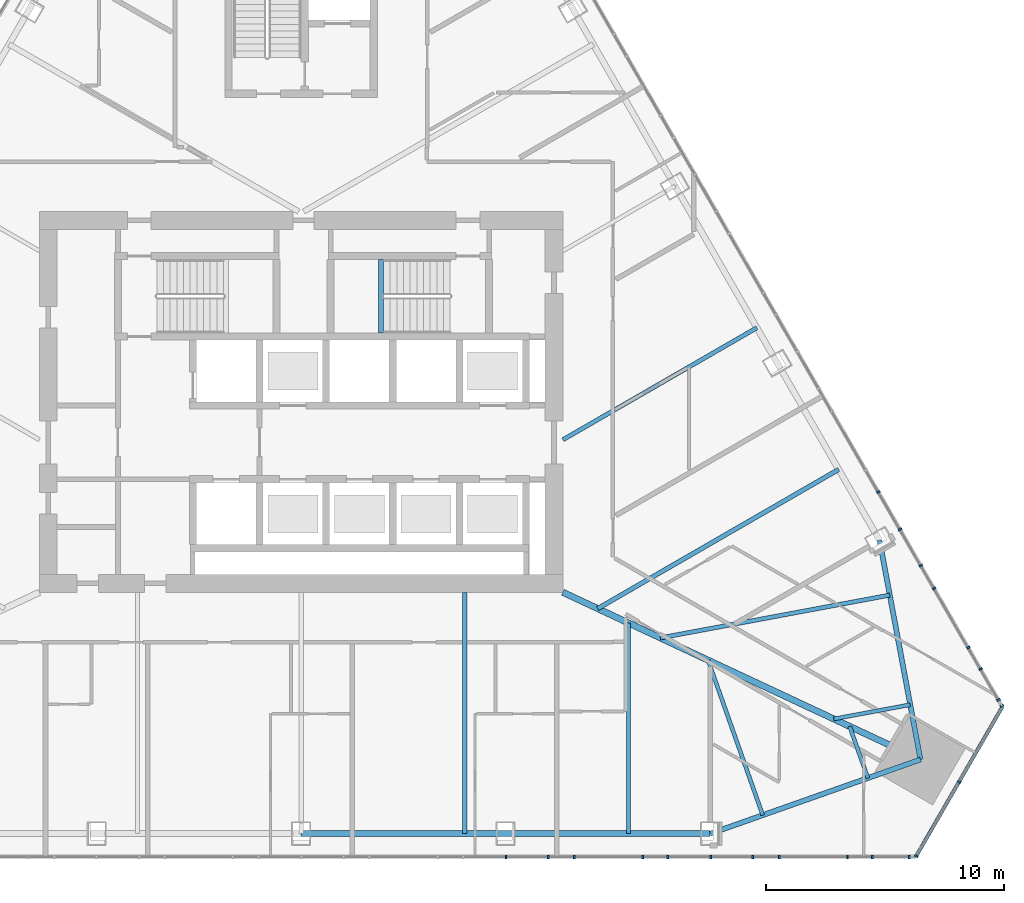
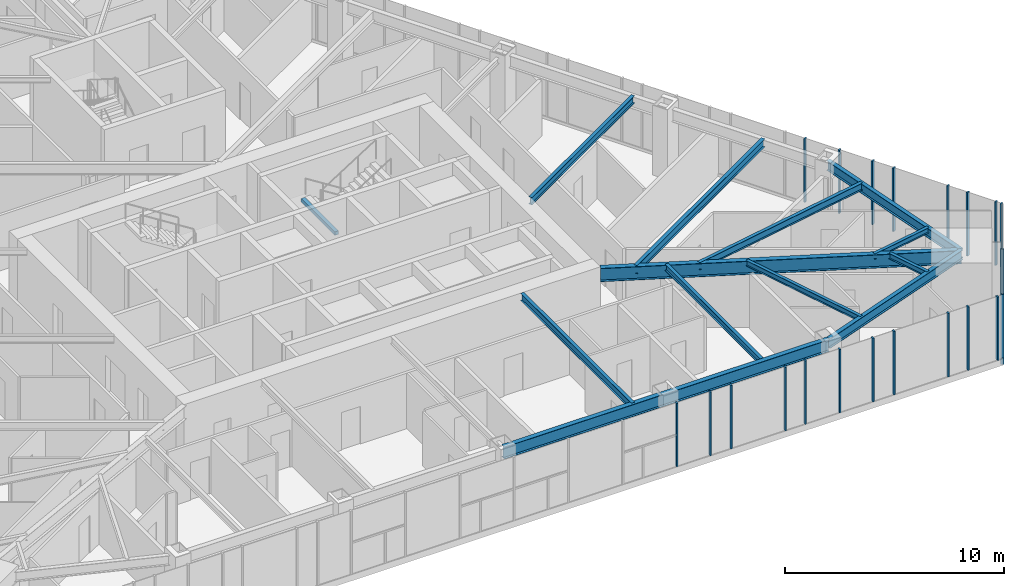
# One storey, part 7 of 24: 22 members, 13 beams, 3 elements without a shape of their own.
"""IFC4 building model written with IfcOpenShell, lengths in metres."""

from ifc_helpers import new_model, si_unit, direction, frame, origin, origin_2d, place, context, subcontext, project, spatial, rectangle, i_section, extrude, material, layer, layer_set, material_profile, profile_set, type_object, element, aggregate, save


model = new_model("IFC4")

# Units and contexts
model_context = context("Model", 3, precision=1e-05, world=origin(), true_north=direction((0.0, 1.0)))
body_context = subcontext(model_context, "Body", "Model", "MODEL_VIEW")
ifc_project = project(units=[si_unit("LENGTHUNIT", "METRE"), si_unit("AREAUNIT", "SQUARE_METRE"), si_unit("VOLUMEUNIT", "CUBIC_METRE"), si_unit("PLANEANGLEUNIT", "RADIAN"), si_unit("MASSUNIT", "GRAM", prefix="KILO")], contexts=[model_context])

# Site, building, storey
site_placement = place(None, origin())
site = spatial("IfcSite", under=ifc_project, at=site_placement, CompositionType="ELEMENT")
building_placement = place(site_placement, origin())
building = spatial("IfcBuilding", under=site, at=building_placement, Name="Firuza Gate Tower and Library", CompositionType="ELEMENT")
storey_placement = place(building_placement, frame((0.0, 0.0, 206.5)))
storey = spatial("IfcBuildingStorey", under=building, at=storey_placement, Name="L48", CompositionType="ELEMENT", Elevation=206.5)

# Curtain wall, members
ifc_material_1 = material(Name="Aluminium 6063-T6", Category="aluminium")
ifc_layer_1 = layer(ifc_material_1, 0.14990234375)
ifc_layer_set_1 = layer_set([ifc_layer_1], Name="Unitised curtain wall, hotel")
curtain_wall_type_1 = type_object("IfcCurtainWallType", Name="Unitised curtain wall, hotel", PredefinedType="NOTDEFINED", material=ifc_layer_set_1)
placement = place(storey_placement, origin())
curtain_wall_1 = element("IfcCurtainWall", 1, at=placement, inside=storey, type_object=curtain_wall_type_1, Name="CW2 L48 S face", PredefinedType="NOTDEFINED")
ifc_material_2 = material(Name="Aluminium 6063-T6", Category="aluminium")
ifc_material_profile_1 = material_profile(ifc_material_2, rectangle(XDim=0.14990234375, YDim=0.080078125, at=origin_2d()))
ifc_profile_set_1 = profile_set([ifc_material_profile_1], Name="Aluminium 6063-T6")
member_type_1 = type_object("IfcMemberType", Name="Curtain wall mullion 80x150", PredefinedType="MULLION", material=ifc_profile_set_1)
member_1_placement = place(storey_placement, frame((83.608154296875, 55.88330078125, 0.14990234375), z_axis=(0.0, 0.0, 1.0), x_axis=(0.0, 1.0, 0.0)))
member_1 = element("IfcMember", 2, at=member_1_placement, type_object=member_type_1, Name="Mullion", PredefinedType="MULLION", context=body_context, shape_type="SweptSolid", body=[
    extrude(rectangle(XDim=0.14990234375, YDim=0.080078125, at=origin_2d()), origin(), (0.0, 0.0, 1.0), 3.550048828125),
])
member_2_placement = place(storey_placement, frame((86.4775390625, 55.88330078125, 0.14990234375), z_axis=(0.0, 0.0, 1.0), x_axis=(0.0, 1.0, 0.0)))
member_2 = element("IfcMember", 3, at=member_2_placement, type_object=member_type_1, Name="Mullion", PredefinedType="MULLION", context=body_context, shape_type="SweptSolid", body=[
    extrude(rectangle(XDim=0.14990234375, YDim=0.080078125, at=origin_2d()), origin(), (0.0, 0.0, 1.0), 3.550048828125),
])
member_3_placement = place(storey_placement, frame((89.346923828125, 55.88330078125, 0.14990234375), z_axis=(0.0, 0.0, 1.0), x_axis=(0.0, 1.0, 0.0)))
member_3 = element("IfcMember", 4, at=member_3_placement, type_object=member_type_1, Name="Mullion", PredefinedType="MULLION", context=body_context, shape_type="SweptSolid", body=[
    extrude(rectangle(XDim=0.14990234375, YDim=0.080078125, at=origin_2d()), origin(), (0.0, 0.0, 1.0), 3.550048828125),
])
member_4_placement = place(storey_placement, frame((92.21630859375, 55.88330078125, 0.14990234375), z_axis=(0.0, 0.0, 1.0), x_axis=(0.0, 1.0, 0.0)))
member_4 = element("IfcMember", 5, at=member_4_placement, type_object=member_type_1, Name="Mullion", PredefinedType="MULLION", context=body_context, shape_type="SweptSolid", body=[
    extrude(rectangle(XDim=0.14990234375, YDim=0.080078125, at=origin_2d()), origin(), (0.0, 0.0, 1.0), 3.550048828125),
])
member_5_placement = place(storey_placement, frame((95.085693359375, 55.88330078125, 0.14990234375), z_axis=(0.0, 0.0, 1.0), x_axis=(0.0, 1.0, 0.0)))
member_5 = element("IfcMember", 6, at=member_5_placement, type_object=member_type_1, Name="Mullion", PredefinedType="MULLION", context=body_context, shape_type="SweptSolid", body=[
    extrude(rectangle(XDim=0.14990234375, YDim=0.080078125, at=origin_2d()), origin(), (0.0, 0.0, 1.0), 3.550048828125),
])
member_6_placement = place(storey_placement, frame((97.955078125, 55.88330078125, 0.14990234375), z_axis=(0.0, 0.0, 1.0), x_axis=(0.0, 1.0, 0.0)))
member_6 = element("IfcMember", 7, at=member_6_placement, type_object=member_type_1, Name="Mullion", PredefinedType="MULLION", context=body_context, shape_type="SweptSolid", body=[
    extrude(rectangle(XDim=0.14990234375, YDim=0.080078125, at=origin_2d()), origin(), (0.0, 0.0, 1.0), 3.550048828125),
])
member_7_placement = place(storey_placement, frame((85.380126953125, 55.88330078125, 0.14990234375), z_axis=(0.0, 0.0, 1.0), x_axis=(0.0, 1.0, 0.0)))
member_7 = element("IfcMember", 8, at=member_7_placement, type_object=member_type_1, Name="Mullion", PredefinedType="MULLION", context=body_context, shape_type="SweptSolid", body=[
    extrude(rectangle(XDim=0.14990234375, YDim=0.080078125, at=origin_2d()), origin(), (0.0, 0.0, 1.0), 3.550048828125),
])
member_8_placement = place(storey_placement, frame((90.40087890625, 55.88330078125, 0.14990234375), z_axis=(0.0, 0.0, 1.0), x_axis=(0.0, 1.0, 0.0)))
member_8 = element("IfcMember", 9, at=member_8_placement, type_object=member_type_1, Name="Mullion", PredefinedType="MULLION", context=body_context, shape_type="SweptSolid", body=[
    extrude(rectangle(XDim=0.14990234375, YDim=0.080078125, at=origin_2d()), origin(), (0.0, 0.0, 1.0), 3.550048828125),
])
member_9_placement = place(storey_placement, frame((93.973876953125, 55.88330078125, 0.14990234375), z_axis=(0.0, 0.0, 1.0), x_axis=(0.0, 1.0, 0.0)))
member_9 = element("IfcMember", 10, at=member_9_placement, type_object=member_type_1, Name="Mullion", PredefinedType="MULLION", context=body_context, shape_type="SweptSolid", body=[
    extrude(rectangle(XDim=0.14990234375, YDim=0.080078125, at=origin_2d()), origin(), (0.0, 0.0, 1.0), 3.550048828125),
])
member_10_placement = place(storey_placement, frame((98.99462890625, 55.88330078125, 0.14990234375), z_axis=(0.0, 0.0, 1.0), x_axis=(0.0, 1.0, 0.0)))
member_10 = element("IfcMember", 11, at=member_10_placement, type_object=member_type_1, Name="Mullion", PredefinedType="MULLION", context=body_context, shape_type="SweptSolid", body=[
    extrude(rectangle(XDim=0.14990234375, YDim=0.080078125, at=origin_2d()), origin(), (0.0, 0.0, 1.0), 3.550048828125),
])
member_11_placement = place(storey_placement, frame((100.558349609375, 55.88330078125, 0.14990234375), z_axis=(0.0, 0.0, 1.0), x_axis=(0.0, 1.0, 0.0)))
member_11 = element("IfcMember", 12, at=member_11_placement, type_object=member_type_1, Name="Mullion", PredefinedType="MULLION", context=body_context, shape_type="SweptSolid", body=[
    extrude(rectangle(XDim=0.14990234375, YDim=0.080078125, at=origin_2d()), origin(), (0.0, 0.0, 1.0), 3.550048828125),
])
aggregate(curtain_wall_1, [member_1, member_2, member_3, member_4, member_5, member_6, member_7, member_8, member_9, member_10, member_11])

ifc_material_3 = material(Name="Aluminium 6063-T6", Category="aluminium")
ifc_layer_2 = layer(ifc_material_3, 0.14990234375)
ifc_layer_set_2 = layer_set([ifc_layer_2], Name="Corner curtain wall, chamfers")
curtain_wall_type_2 = type_object("IfcCurtainWallType", Name="Corner curtain wall, chamfers", PredefinedType="NOTDEFINED", material=ifc_layer_set_2)
curtain_wall_2 = element("IfcCurtainWall", 13, at=placement, inside=storey, type_object=curtain_wall_type_2, Name="CW4 L48 SE corner", PredefinedType="NOTDEFINED")
member_12_placement = place(storey_placement, frame((100.844482421875, 55.91796875, 0.14990234375), z_axis=(0.0, 0.0, 1.0), x_axis=(-0.866025403784, 0.5, 0.0)))
member_12 = element("IfcMember", 14, at=member_12_placement, type_object=member_type_1, Name="Mullion", PredefinedType="MULLION", context=body_context, shape_type="SweptSolid", body=[
    extrude(rectangle(XDim=0.14990234375, YDim=0.080078125, at=origin_2d()), origin(), (0.0, 0.0, 1.0), 3.550048828125),
])
member_13_placement = place(storey_placement, frame((102.646240234375, 59.03857421875, 0.14990234375), z_axis=(0.0, 0.0, 1.0), x_axis=(-0.866025403784, 0.5, 0.0)))
member_13 = element("IfcMember", 15, at=member_13_placement, type_object=member_type_1, Name="Mullion", PredefinedType="MULLION", context=body_context, shape_type="SweptSolid", body=[
    extrude(rectangle(XDim=0.14990234375, YDim=0.080078125, at=origin_2d()), origin(), (0.0, 0.0, 1.0), 3.550048828125),
])

curtain_wall_3 = element("IfcCurtainWall", 16, at=placement, inside=storey, type_object=curtain_wall_type_1, Name="CW2 L48 E face", PredefinedType="NOTDEFINED")
member_14_placement = place(storey_placement, frame((104.44775390625, 62.228271484375, 0.14990234375), z_axis=(0.0, 0.0, 1.0), x_axis=(-0.866025403784, -0.5, 0.0)))
member_14 = element("IfcMember", 17, at=member_14_placement, type_object=member_type_1, Name="Mullion", PredefinedType="MULLION", context=body_context, shape_type="SweptSolid", body=[
    extrude(rectangle(XDim=0.14990234375, YDim=0.080078125, at=origin_2d()), origin(), (0.0, 0.0, 1.0), 3.550048828125),
])
member_15_placement = place(storey_placement, frame((103.033203125, 64.6787109375, 0.14990234375), z_axis=(0.0, 0.0, 1.0), x_axis=(-0.866025403784, -0.5, 0.0)))
member_15 = element("IfcMember", 18, at=member_15_placement, type_object=member_type_1, Name="Mullion", PredefinedType="MULLION", context=body_context, shape_type="SweptSolid", body=[
    extrude(rectangle(XDim=0.14990234375, YDim=0.080078125, at=origin_2d()), origin(), (0.0, 0.0, 1.0), 3.550048828125),
])
member_16_placement = place(storey_placement, frame((101.598388671875, 67.16357421875, 0.14990234375), z_axis=(0.0, 0.0, 1.0), x_axis=(-0.866025403784, -0.5, 0.0)))
member_16 = element("IfcMember", 19, at=member_16_placement, type_object=member_type_1, Name="Mullion", PredefinedType="MULLION", context=body_context, shape_type="SweptSolid", body=[
    extrude(rectangle(XDim=0.14990234375, YDim=0.080078125, at=origin_2d()), origin(), (0.0, 0.0, 1.0), 3.550048828125),
])
member_17_placement = place(storey_placement, frame((100.163818359375, 69.648681640625, 0.14990234375), z_axis=(0.0, 0.0, 1.0), x_axis=(-0.866025403784, -0.5, 0.0)))
member_17 = element("IfcMember", 20, at=member_17_placement, type_object=member_type_1, Name="Mullion", PredefinedType="MULLION", context=body_context, shape_type="SweptSolid", body=[
    extrude(rectangle(XDim=0.14990234375, YDim=0.080078125, at=origin_2d()), origin(), (0.0, 0.0, 1.0), 3.550048828125),
])
member_18_placement = place(storey_placement, frame((104.30224609375, 62.48046875, 0.14990234375), z_axis=(0.0, 0.0, 1.0), x_axis=(-0.866025403784, -0.5, 0.0)))
member_18 = element("IfcMember", 21, at=member_18_placement, type_object=member_type_1, Name="Mullion", PredefinedType="MULLION", context=body_context, shape_type="SweptSolid", body=[
    extrude(rectangle(XDim=0.14990234375, YDim=0.080078125, at=origin_2d()), origin(), (0.0, 0.0, 1.0), 3.550048828125),
])
member_19_placement = place(storey_placement, frame((103.552978515625, 63.7783203125, 0.14990234375), z_axis=(0.0, 0.0, 1.0), x_axis=(-0.866025403784, -0.5, 0.0)))
member_19 = element("IfcMember", 22, at=member_19_placement, type_object=member_type_1, Name="Mullion", PredefinedType="MULLION", context=body_context, shape_type="SweptSolid", body=[
    extrude(rectangle(XDim=0.14990234375, YDim=0.080078125, at=origin_2d()), origin(), (0.0, 0.0, 1.0), 3.550048828125),
])
member_20_placement = place(storey_placement, frame((101.04248046875, 68.12646484375, 0.14990234375), z_axis=(0.0, 0.0, 1.0), x_axis=(-0.866025403784, -0.5, 0.0)))
member_20 = element("IfcMember", 23, at=member_20_placement, type_object=member_type_1, Name="Mullion", PredefinedType="MULLION", context=body_context, shape_type="SweptSolid", body=[
    extrude(rectangle(XDim=0.14990234375, YDim=0.080078125, at=origin_2d()), origin(), (0.0, 0.0, 1.0), 3.550048828125),
])
member_21_placement = place(storey_placement, frame((99.256103515625, 71.220703125, 0.14990234375), z_axis=(0.0, 0.0, 1.0), x_axis=(-0.866025403784, -0.5, 0.0)))
member_21 = element("IfcMember", 24, at=member_21_placement, type_object=member_type_1, Name="Mullion", PredefinedType="MULLION", context=body_context, shape_type="SweptSolid", body=[
    extrude(rectangle(XDim=0.14990234375, YDim=0.080078125, at=origin_2d()), origin(), (0.0, 0.0, 1.0), 3.550048828125),
])
aggregate(curtain_wall_3, [member_14, member_15, member_16, member_17, member_18, member_19, member_20, member_21])

# Member
ifc_material_4 = material(Name="Aluminium 6063-T6", Category="aluminium")
ifc_material_profile_2 = material_profile(ifc_material_4, rectangle(XDim=0.14990234375, YDim=0.35009765625, at=origin_2d()))
ifc_profile_set_2 = profile_set([ifc_material_profile_2], Name="Aluminium 6063-T6")
member_type_2 = type_object("IfcMemberType", Name="Curtain wall transom 350x150", PredefinedType="USERDEFINED", material=ifc_profile_set_2)
member_22_placement = place(storey_placement, frame((100.824462890625, 55.88330078125, -0.02490234375), z_axis=(0.500005719219, 0.866022101766, 0.0), x_axis=(-0.866022101766, 0.500005719219, 0.0)))
member_22 = element("IfcMember", 25, at=member_22_placement, type_object=member_type_2, Name="Transom", ObjectType="TRANSOM", PredefinedType="USERDEFINED", context=body_context, shape_type="SweptSolid", body=[
    extrude(rectangle(XDim=0.14990234375, YDim=0.35009765625, at=origin_2d()), origin(), (0.0, 0.0, 1.0), 7.28662109375),
])

aggregate(curtain_wall_2, [member_12, member_13, member_22])

# Beams
ifc_material_5 = material(Name="Concrete C35/45", Category="concrete")
ifc_material_profile_3 = material_profile(ifc_material_5, rectangle(XDim=0.199951171875, YDim=0.199951171875, at=origin_2d()))
ifc_profile_set_3 = profile_set([ifc_material_profile_3], Name="Concrete C35/45")
beam_type_1 = type_object("IfcBeamType", Name="Stair landing bearer 200x200", PredefinedType="BEAM", material=ifc_profile_set_3)
beam_1_placement = place(storey_placement, frame((78.360107421875, 80.97998046875, 1.64990234375), z_axis=(0.0, -1.0, 0.0), x_axis=(1.0, 0.0, 0.0)))
element("IfcBeam", 26, at=beam_1_placement, inside=storey, type_object=beam_type_1, Name="Landing bearer L48 stair 2", PredefinedType="BEAM", context=body_context, shape_type="SweptSolid", body=[
    extrude(rectangle(XDim=0.199951171875, YDim=0.199951171875, at=origin_2d()), origin(), (0.0, 0.0, 1.0), 3.080078125),
])
ifc_material_6 = material(Name="Steel S355", Category="steel")
ifc_material_profile_4 = material_profile(ifc_material_6, i_section(OverallWidth=0.1650390625, OverallDepth=0.31005859375, WebThickness=0.005859375, FlangeThickness=0.009765625, at=origin_2d()))
ifc_profile_set_4 = profile_set([ifc_material_profile_4], Name="Steel S355")
beam_type_2 = type_object("IfcBeamType", Name="W310x39 Floor beam", PredefinedType="JOIST", material=ifc_profile_set_4)
beam_2_placement = place(storey_placement, frame((94.396240234375, 57.6376953125, 3.544921875), z_axis=(-0.332781274882, 0.943004041925, 0.0), x_axis=(-0.943004041925, -0.332781274882, 0.0)))
element("IfcBeam", 27, at=beam_2_placement, inside=storey, type_object=beam_type_2, Name="Floor beam L48 s30", PredefinedType="JOIST", context=body_context, shape_type="SweptSolid", body=[
    extrude(i_section(OverallWidth=0.1650390625, OverallDepth=0.31005859375, WebThickness=0.005859375, FlangeThickness=0.009765625, at=origin_2d()), origin(), (0.0, 0.0, 1.0), 6.904296875),
])
beam_3_placement = place(storey_placement, frame((98.813720703125, 59.196533203125, 3.544921875), z_axis=(-0.332792371973, 0.943000125746, 0.0), x_axis=(-0.943000125746, -0.332792371973, 0.0)))
element("IfcBeam", 28, at=beam_3_placement, inside=storey, type_object=beam_type_2, Name="Floor beam L48 s31", PredefinedType="JOIST", context=body_context, shape_type="SweptSolid", body=[
    extrude(i_section(OverallWidth=0.1650390625, OverallDepth=0.31005859375, WebThickness=0.005859375, FlangeThickness=0.009765625, at=origin_2d()), origin(), (0.0, 0.0, 1.0), 2.30126953125),
])
beam_4_placement = place(storey_placement, frame((100.593017578125, 62.278564453125, 3.544921875), z_axis=(-0.98304592643, -0.183359500789, 0.0), x_axis=(0.183359500789, -0.98304592643, 0.0)))
element("IfcBeam", 29, at=beam_4_placement, inside=storey, type_object=beam_type_2, Name="Floor beam L48 s40", PredefinedType="JOIST", context=body_context, shape_type="SweptSolid", body=[
    extrude(i_section(OverallWidth=0.1650390625, OverallDepth=0.31005859375, WebThickness=0.005859375, FlangeThickness=0.009765625, at=origin_2d()), origin(), (0.0, 0.0, 1.0), 3.268798828125),
])
ifc_material_7 = material(Name="Steel S355", Category="steel")
ifc_material_profile_5 = material_profile(ifc_material_7, i_section(OverallWidth=0.1708984375, OverallDepth=0.35498046875, WebThickness=0.007080078125, FlangeThickness=0.01171875, at=origin_2d()))
ifc_profile_set_5 = profile_set([ifc_material_profile_5], Name="Steel S355")
beam_type_3 = type_object("IfcBeamType", Name="W360x51 Floor beam", PredefinedType="JOIST", material=ifc_profile_set_5)
beam_5_placement = place(storey_placement, frame((88.75, 56.8583984375, 3.5224609375), z_axis=(0.0, 1.0, 0.0), x_axis=(-1.0, 0.0, 0.0)))
element("IfcBeam", 30, at=beam_5_placement, inside=storey, type_object=beam_type_3, Name="Floor beam L48 s24", PredefinedType="JOIST", context=body_context, shape_type="SweptSolid", body=[
    extrude(i_section(OverallWidth=0.1708984375, OverallDepth=0.35498046875, WebThickness=0.007080078125, FlangeThickness=0.01171875, at=origin_2d()), origin(), (0.0, 0.0, 1.0), 8.855712890625),
])
ifc_material_8 = material(Name="Steel S355", Category="steel")
ifc_material_profile_6 = material_profile(ifc_material_8, i_section(OverallWidth=0.177978515625, OverallDepth=0.406982421875, WebThickness=0.0078125, FlangeThickness=0.0126953125, at=origin_2d()))
ifc_profile_set_6 = profile_set([ifc_material_profile_6], Name="Steel S355")
beam_type_4 = type_object("IfcBeamType", Name="W410x60 Floor beam", PredefinedType="JOIST", material=ifc_profile_set_6)
beam_6_placement = place(storey_placement, frame((81.875, 56.8583984375, 3.49658203125), z_axis=(0.0, 1.0, 0.0), x_axis=(-1.0, 0.0, 0.0)))
element("IfcBeam", 31, at=beam_6_placement, inside=storey, type_object=beam_type_4, Name="Floor beam L48 s23", PredefinedType="JOIST", context=body_context, shape_type="SweptSolid", body=[
    extrude(i_section(OverallWidth=0.177978515625, OverallDepth=0.406982421875, WebThickness=0.0078125, FlangeThickness=0.0126953125, at=origin_2d()), origin(), (0.0, 0.0, 1.0), 10.1416015625),
])
beam_7_placement = place(storey_placement, frame((99.734375, 66.883544921875, 3.49658203125), z_axis=(-0.983056573465, -0.183302409604, 0.0), x_axis=(0.183302409604, -0.983056573465, 0.0)))
element("IfcBeam", 32, at=beam_7_placement, inside=storey, type_object=beam_type_4, Name="Floor beam L48 s41", PredefinedType="JOIST", context=body_context, shape_type="SweptSolid", body=[
    extrude(i_section(OverallWidth=0.177978515625, OverallDepth=0.406982421875, WebThickness=0.0078125, FlangeThickness=0.0126953125, at=origin_2d()), origin(), (0.0, 0.0, 1.0), 9.806884765625),
])
beam_8_placement = place(storey_placement, frame((94.148681640625, 78.116943359375, 3.49658203125), z_axis=(-0.86602787481, -0.499995720034, 0.0), x_axis=(0.499995720034, -0.86602787481, 0.0)))
element("IfcBeam", 33, at=beam_8_placement, inside=storey, type_object=beam_type_4, Name="Floor beam L48 s51", PredefinedType="JOIST", context=body_context, shape_type="SweptSolid", body=[
    extrude(i_section(OverallWidth=0.177978515625, OverallDepth=0.406982421875, WebThickness=0.0078125, FlangeThickness=0.0126953125, at=origin_2d()), origin(), (0.0, 0.0, 1.0), 9.4091796875),
])
ifc_material_9 = material(Name="Steel S355", Category="steel")
ifc_material_profile_7 = material_profile(ifc_material_9, i_section(OverallWidth=0.18994140625, OverallDepth=0.45703125, WebThickness=0.009033203125, FlangeThickness=0.014404296875, at=origin_2d()))
ifc_profile_set_7 = profile_set([ifc_material_profile_7], Name="Steel S355")
beam_type_5 = type_object("IfcBeamType", Name="W460x74 Floor beam", PredefinedType="JOIST", material=ifc_profile_set_7)
beam_9_placement = place(storey_placement, frame((97.586181640625, 72.1630859375, 3.471435546875), z_axis=(-0.866025630412, -0.49999960747, 0.0), x_axis=(0.49999960747, -0.866025630412, 0.0)))
element("IfcBeam", 34, at=beam_9_placement, inside=storey, type_object=beam_type_5, Name="Floor beam L48 s50", PredefinedType="JOIST", context=body_context, shape_type="SweptSolid", body=[
    extrude(i_section(OverallWidth=0.18994140625, OverallDepth=0.45703125, WebThickness=0.009033203125, FlangeThickness=0.014404296875, at=origin_2d()), origin(), (0.0, 0.0, 1.0), 11.69189453125),
])
ifc_material_10 = material(Name="Steel S355", Category="steel")
ifc_material_profile_8 = material_profile(ifc_material_10, i_section(OverallWidth=0.212890625, OverallDepth=0.5390625, WebThickness=0.01171875, FlangeThickness=0.018798828125, at=origin_2d()))
ifc_profile_set_8 = profile_set([ifc_material_profile_8], Name="Steel S355")
beam_type_6 = type_object("IfcBeamType", Name="W530x109 Edge beam", PredefinedType="SPANDREL", material=ifc_profile_set_8)
beam_10_placement = place(storey_placement, frame((92.1875, 56.8583984375, 3.430419921875), z_axis=(0.94300861327, 0.332768320754, 0.0), x_axis=(-0.332768320754, 0.94300861327, 0.0)))
element("IfcBeam", 35, at=beam_10_placement, inside=storey, type_object=beam_type_6, Name="Edge beam L48 e30", PredefinedType="SPANDREL", context=body_context, shape_type="SweptSolid", body=[
    extrude(i_section(OverallWidth=0.212890625, OverallDepth=0.5390625, WebThickness=0.01171875, FlangeThickness=0.018798828125, at=origin_2d()), origin(), (0.0, 0.0, 1.0), 9.368896484375),
])
beam_11_placement = place(storey_placement, frame((101.0224609375, 59.97607421875, 3.430419921875), z_axis=(-0.183325539485, 0.983052260347, 0.0), x_axis=(-0.983052260347, -0.183325539485, 0.0)))
element("IfcBeam", 36, at=beam_11_placement, inside=storey, type_object=beam_type_6, Name="Edge beam L48 e40", PredefinedType="SPANDREL", context=body_context, shape_type="SweptSolid", body=[
    extrude(i_section(OverallWidth=0.212890625, OverallDepth=0.5390625, WebThickness=0.01171875, FlangeThickness=0.018798828125, at=origin_2d()), origin(), (0.0, 0.0, 1.0), 9.36865234375),
])
ifc_material_11 = material(Name="Steel S355", Category="steel")
ifc_material_profile_9 = material_profile(ifc_material_11, i_section(OverallWidth=0.2529296875, OverallDepth=0.677978515625, WebThickness=0.01171875, FlangeThickness=0.016357421875, at=origin_2d()))
ifc_profile_set_9 = profile_set([ifc_material_profile_9], Name="Steel S355")
beam_type_7 = type_object("IfcBeamType", Name="W690x125 Edge beam", PredefinedType="SPANDREL", material=ifc_profile_set_9)
beam_12_placement = place(storey_placement, frame((75.0, 56.8583984375, 3.361083984375), z_axis=(1.0, 0.0, 0.0), x_axis=(0.0, 1.0, 0.0)))
element("IfcBeam", 37, at=beam_12_placement, inside=storey, type_object=beam_type_7, Name="Edge beam L48 e22", PredefinedType="SPANDREL", context=body_context, shape_type="SweptSolid", body=[
    extrude(i_section(OverallWidth=0.2529296875, OverallDepth=0.677978515625, WebThickness=0.01171875, FlangeThickness=0.016357421875, at=origin_2d()), origin(), (0.0, 0.0, 1.0), 17.1875),
])
ifc_material_12 = material(Name="Steel S355", Category="steel")
ifc_material_profile_10 = material_profile(ifc_material_12, i_section(OverallWidth=0.264892578125, OverallDepth=0.7529296875, WebThickness=0.01318359375, FlangeThickness=0.01708984375, at=origin_2d()))
ifc_profile_set_10 = profile_set([ifc_material_profile_10], Name="Steel S355")
beam_type_8 = type_object("IfcBeamType", Name="W760x147 Girder", PredefinedType="BEAM", material=ifc_profile_set_10)
beam_13_placement = place(storey_placement, frame((101.0224609375, 59.97607421875, 3.323486328125), z_axis=(-0.905872229673, 0.423551063637, 0.0), x_axis=(-0.423551063637, -0.905872229673, 0.0)))
element("IfcBeam", 38, at=beam_13_placement, inside=storey, type_object=beam_type_8, Name="Girder L48 gSE", PredefinedType="BEAM", context=body_context, shape_type="SweptSolid", body=[
    extrude(i_section(OverallWidth=0.264892578125, OverallDepth=0.7529296875, WebThickness=0.01318359375, FlangeThickness=0.01708984375, at=origin_2d()), origin(), (0.0, 0.0, 1.0), 16.58349609375),
])

save(model, "model.ifc")
